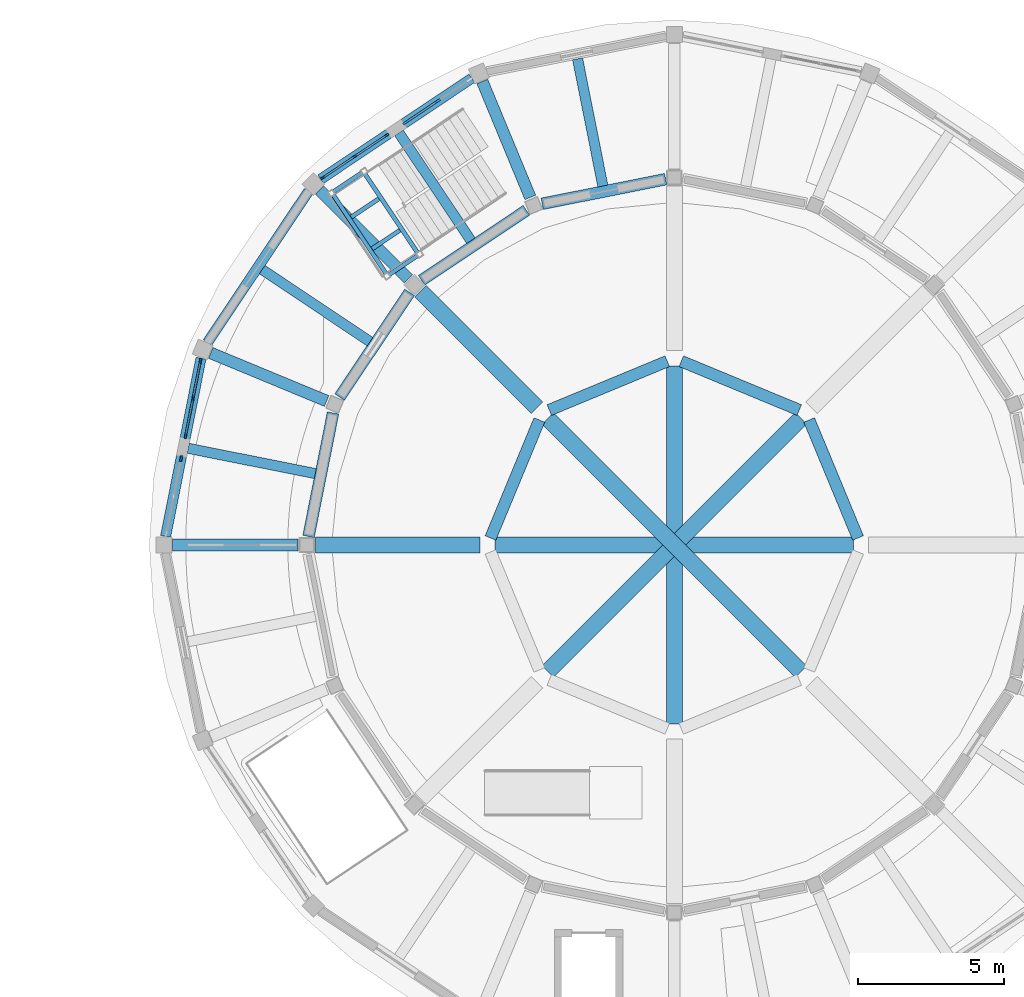
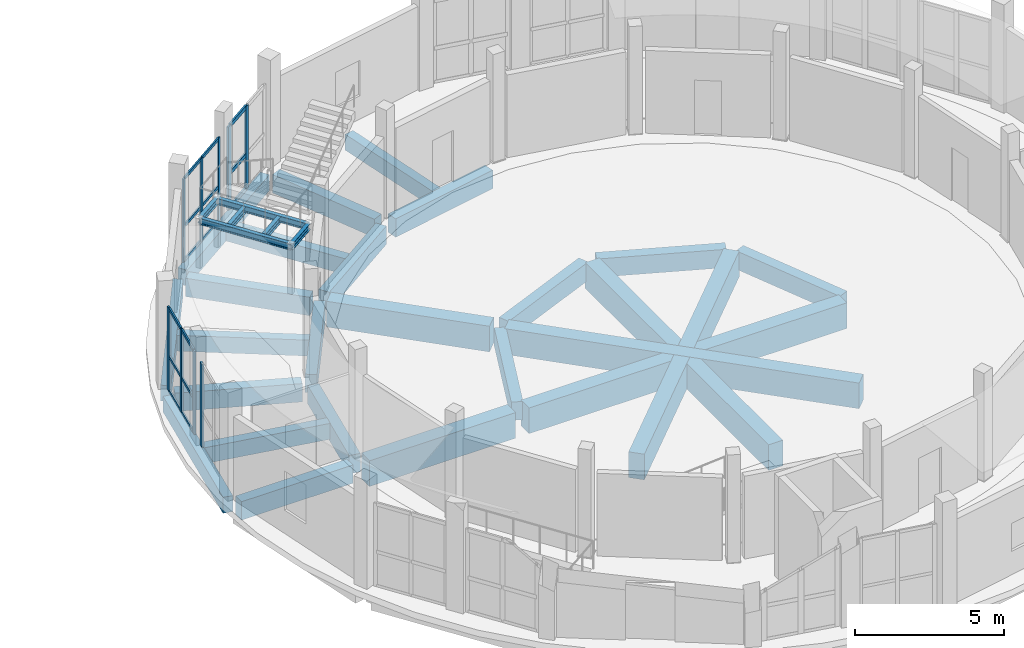
# One storey, part 47 of 92: 31 beams, 24 members, 4 elements without a shape of their own.
"""IFC4 building model written with IfcOpenShell, lengths in metres."""

from ifc_helpers import new_model, si_unit, direction, frame, origin, origin_2d, place, context, subcontext, project, spatial, rectangle, i_section, extrude, material, layer, layer_set, material_profile, profile_set, type_object, element, aggregate, save


model = new_model("IFC4")

# Units and contexts
model_context = context("Model", 3, precision=1e-05, world=origin(), true_north=direction((0.0, 1.0)))
body_context = subcontext(model_context, "Body", "Model", "MODEL_VIEW")
ifc_project = project(units=[si_unit("LENGTHUNIT", "METRE"), si_unit("AREAUNIT", "SQUARE_METRE"), si_unit("VOLUMEUNIT", "CUBIC_METRE"), si_unit("PLANEANGLEUNIT", "RADIAN"), si_unit("MASSUNIT", "GRAM", prefix="KILO")], contexts=[model_context])

# Site, building, storey
site_placement = place(None, origin())
site = spatial("IfcSite", under=ifc_project, at=site_placement, CompositionType="ELEMENT")
building_placement = place(site_placement, origin())
building = spatial("IfcBuilding", under=site, at=building_placement, Name="Caldaven Crescent School", CompositionType="ELEMENT")
storey_placement = place(building_placement, origin())
storey = spatial("IfcBuildingStorey", under=building, at=storey_placement, Name="L00", CompositionType="ELEMENT", Elevation=0.0)

# Beams
ifc_material_1 = material(Name="Concrete C30/37", Category="concrete")
ifc_material_profile_1 = material_profile(ifc_material_1, rectangle(XDim=0.35009765625, YDim=0.64990234375, at=origin_2d()), Name="RC 350x650")
ifc_profile_set_1 = profile_set([ifc_material_profile_1], Name="Concrete C30/37")
beam_type_1 = type_object("IfcBeamType", Name="BM-RC35", PredefinedType="BEAM", material=ifc_profile_set_1)
beam_1_placement = place(storey_placement, frame((150.052001953125, 110.806884765625, -0.5849609375), z_axis=(-0.195112778797, 0.980780813205, 0.0), x_axis=(-0.980780813205, -0.195112778797, 0.0)))
element("IfcBeam", 1, at=beam_1_placement, inside=storey, type_object=beam_type_1, Name="JS-V1-L00-0029", PredefinedType="BEAM", context=body_context, shape_type="SweptSolid", body=[
    extrude(rectangle(XDim=0.35009765625, YDim=0.64990234375, at=origin_2d()), origin(), (0.0, 0.0, 1.0), 4.44580078125),
])
for number, where, z_axis, x_axis, name in (
    (2, (145.52880859375, 108.93310546875, -0.5849609375), (-0.55554893791, 0.831483840845, 0.0), (-0.831483840845, -0.55554893791, 0.0), "JS-V1-L00-0033"),
    (3, (142.06689453125, 105.47119140625, -0.5849609375), (-0.831483840845, 0.55554893791, 0.0), (-0.55554893791, -0.831483840845, 0.0), "JS-V1-L00-0040"),
):
    element("IfcBeam", number, at=place(storey_placement, frame(where, z_axis=z_axis, x_axis=x_axis)), inside=storey, type_object=beam_type_1, Name=name, PredefinedType="BEAM", context=body_context, shape_type="SweptSolid", body=[
        extrude(rectangle(XDim=0.35009765625, YDim=0.64990234375, at=origin_2d()), origin(), (0.0, 0.0, 1.0), 4.446044921875),
    ])
beam_2_placement = place(storey_placement, frame((140.193115234375, 100.947998046875, -0.5849609375), z_axis=(-0.980780813205, 0.195112778797, 0.0), x_axis=(-0.195112778797, -0.980780813205, 0.0)))
element("IfcBeam", 4, at=beam_2_placement, inside=storey, type_object=beam_type_1, Name="JS-V1-L00-0044", PredefinedType="BEAM", context=body_context, shape_type="SweptSolid", body=[
    extrude(rectangle(XDim=0.35009765625, YDim=0.64990234375, at=origin_2d()), origin(), (0.0, 0.0, 1.0), 4.44580078125),
])
ifc_material_2 = material(Name="Concrete C35/45", Category="concrete")
ifc_material_profile_2 = material_profile(ifc_material_2, rectangle(XDim=0.39990234375, YDim=0.75, at=origin_2d()), Name="RC 400x750")
ifc_profile_set_2 = profile_set([ifc_material_profile_2], Name="Concrete C35/45")
beam_type_2 = type_object("IfcBeamType", Name="BM-RC40", PredefinedType="BEAM", material=ifc_profile_set_2)
for number, where, z_axis, x_axis, name in (
    (5, (158.800537109375, 98.740234375, -0.635009765625), (-0.38269817282, 0.923873426677, 0.0), (-0.923873426677, -0.38269817282, 0.0), "BM-V1-L00-0001"),
    (6, (156.78515625, 103.125, -0.635009765625), (-0.923873426677, 0.38269817282, 0.0), (-0.38269817282, -0.923873426677, 0.0), "BM-V1-L00-0012"),
    (7, (152.259765625, 104.800537109375, -0.635009765625), (-0.923873426677, -0.38269817282, 0.0), (0.38269817282, -0.923873426677, 0.0), "BM-V1-L00-0023"),
):
    element("IfcBeam", number, at=place(storey_placement, frame(where, z_axis=z_axis, x_axis=x_axis)), inside=storey, type_object=beam_type_2, Name=name, PredefinedType="BEAM", context=body_context, shape_type="SweptSolid", body=[
        extrude(rectangle(XDim=0.39990234375, YDim=0.75, at=origin_2d()), origin(), (0.0, 0.0, 1.0), 4.378173828125),
    ])
beam_3_placement = place(storey_placement, frame((152.205810546875, 111.04150390625, -0.635009765625), z_axis=(-0.980786800424, -0.1950826802, 0.0), x_axis=(0.1950826802, -0.980786800424, 0.0)))
element("IfcBeam", 8, at=beam_3_placement, inside=storey, type_object=beam_type_2, Name="BM-V1-L00-0026", PredefinedType="BEAM", context=body_context, shape_type="SweptSolid", body=[
    extrude(rectangle(XDim=0.39990234375, YDim=0.75, at=origin_2d()), origin(), (0.0, 0.0, 1.0), 4.31640625),
])
beam_4_placement = place(storey_placement, frame((147.5634765625, 110.41796875, -0.635009765625), z_axis=(-0.382727866864, 0.923861125887, 0.0), x_axis=(-0.923861125887, -0.382727866864, 0.0)))
element("IfcBeam", 9, at=beam_4_placement, inside=storey, type_object=beam_type_2, Name="BM-V1-L00-0030", PredefinedType="BEAM", context=body_context, shape_type="SweptSolid", body=[
    extrude(rectangle(XDim=0.39990234375, YDim=0.75, at=origin_2d()), origin(), (0.0, 0.0, 1.0), 4.300048828125),
])
beam_5_placement = place(storey_placement, frame((147.4287109375, 109.97412109375, -0.635009765625), z_axis=(-0.831475516747, -0.555561396292, 0.0), x_axis=(0.555561396292, -0.831475516747, 0.0)))
element("IfcBeam", 10, at=beam_5_placement, inside=storey, type_object=beam_type_2, Name="BM-V1-L00-0031", PredefinedType="BEAM", context=body_context, shape_type="SweptSolid", body=[
    extrude(rectangle(XDim=0.39990234375, YDim=0.75, at=origin_2d()), origin(), (0.0, 0.0, 1.0), 4.316162109375),
])
beam_6_placement = place(storey_placement, frame((147.875, 102.78515625, -0.635009765625), z_axis=(-0.38269817282, -0.923873426677, 0.0), x_axis=(0.923873426677, -0.38269817282, 0.0)))
element("IfcBeam", 11, at=beam_6_placement, inside=storey, type_object=beam_type_2, Name="BM-V1-L00-0034", PredefinedType="BEAM", context=body_context, shape_type="SweptSolid", body=[
    extrude(rectangle(XDim=0.39990234375, YDim=0.75, at=origin_2d()), origin(), (0.0, 0.0, 1.0), 4.378173828125),
])
beam_7_placement = place(storey_placement, frame((143.37841796875, 107.62158203125, -0.635009765625), z_axis=(-0.707106781187, 0.707106781187, 0.0), x_axis=(-0.707106781187, -0.707106781187, 0.0)))
element("IfcBeam", 12, at=beam_7_placement, inside=storey, type_object=beam_type_2, Name="BM-V1-L00-0036", PredefinedType="BEAM", context=body_context, shape_type="SweptSolid", body=[
    extrude(rectangle(XDim=0.39990234375, YDim=0.75, at=origin_2d()), origin(), (0.0, 0.0, 1.0), 4.30029296875),
])
beam_8_placement = place(storey_placement, frame((143.423828125, 107.16015625, -0.635009765625), z_axis=(-0.555561396292, -0.831475516747, 0.0), x_axis=(0.831475516747, -0.555561396292, 0.0)))
element("IfcBeam", 13, at=beam_8_placement, inside=storey, type_object=beam_type_2, Name="BM-V1-L00-0037", PredefinedType="BEAM", context=body_context, shape_type="SweptSolid", body=[
    extrude(rectangle(XDim=0.39990234375, YDim=0.75, at=origin_2d()), origin(), (0.0, 0.0, 1.0), 4.316162109375),
])
beam_9_placement = place(storey_placement, frame((140.58203125, 103.4365234375, -0.635009765625), z_axis=(-0.923861125887, 0.382727866864, 0.0), x_axis=(-0.382727866864, -0.923861125887, 0.0)))
element("IfcBeam", 14, at=beam_9_placement, inside=storey, type_object=beam_type_2, Name="BM-V1-L00-0041", PredefinedType="BEAM", context=body_context, shape_type="SweptSolid", body=[
    extrude(rectangle(XDim=0.39990234375, YDim=0.75, at=origin_2d()), origin(), (0.0, 0.0, 1.0), 4.300048828125),
])
beam_10_placement = place(storey_placement, frame((140.800537109375, 103.027587890625, -0.635009765625), z_axis=(-0.1950826802, -0.980786800424, 0.0), x_axis=(0.980786800424, -0.1950826802, 0.0)))
element("IfcBeam", 15, at=beam_10_placement, inside=storey, type_object=beam_type_2, Name="BM-V1-L00-0042", PredefinedType="BEAM", context=body_context, shape_type="SweptSolid", body=[
    extrude(rectangle(XDim=0.39990234375, YDim=0.75, at=origin_2d()), origin(), (0.0, 0.0, 1.0), 4.31640625),
])
beam_11_placement = place(storey_placement, frame((139.60009765625, 98.5, -0.635009765625), z_axis=(-1.0, 0.0, 0.0), x_axis=(0.0, -1.0, 0.0)))
element("IfcBeam", 16, at=beam_11_placement, inside=storey, type_object=beam_type_2, Name="BM-V1-L00-0047", PredefinedType="BEAM", context=body_context, shape_type="SweptSolid", body=[
    extrude(rectangle(XDim=0.39990234375, YDim=0.75, at=origin_2d()), origin(), (0.0, 0.0, 1.0), 4.300048828125),
])
ifc_material_profile_3 = material_profile(ifc_material_2, rectangle(XDim=0.550048828125, YDim=1.050048828125, at=origin_2d()), Name="RC 550x1050")
ifc_profile_set_3 = profile_set([ifc_material_profile_3], Name="Concrete C35/45")
beam_type_3 = type_object("IfcBeamType", Name="BM-RC55", PredefinedType="BEAM", material=ifc_profile_set_3)
for number, where, z_axis, x_axis, name in (
    (17, (158.639892578125, 98.5, -0.784912109375), (-1.0, 0.0, 0.0), (0.0, -1.0, 0.0), "BM-V1-DIA-L00-0006"),
    (18, (156.841552734375, 102.841552734375, -0.784912109375), (-0.707106781187, -0.707106781187, 0.0), (0.707106781187, -0.707106781187, 0.0), "BM-V1-DIA-L00-0017"),
    (19, (152.5, 104.639892578125, -0.784912109375), (0.0, -1.0, 0.0), (1.0, 0.0, 0.0), "BM-V1-DIA-L00-0028"),
):
    element("IfcBeam", number, at=place(storey_placement, frame(where, z_axis=z_axis, x_axis=x_axis)), inside=storey, type_object=beam_type_3, Name=name, PredefinedType="BEAM", context=body_context, shape_type="SweptSolid", body=[
        extrude(rectangle(XDim=0.550048828125, YDim=1.050048828125, at=origin_2d()), origin(), (0.0, 0.0, 1.0), 12.27978515625),
    ])
beam_12_placement = place(storey_placement, frame((147.790771484375, 103.209228515625, -0.784912109375), z_axis=(-0.707106781187, 0.707106781187, 0.0), x_axis=(-0.707106781187, -0.707106781187, 0.0)))
element("IfcBeam", 20, at=beam_12_placement, inside=storey, type_object=beam_type_3, Name="BM-V1-L00-0035", PredefinedType="BEAM", context=body_context, shape_type="SweptSolid", body=[
    extrude(rectangle(XDim=0.550048828125, YDim=1.050048828125, at=origin_2d()), origin(), (0.0, 0.0, 1.0), 5.640380859375),
])
beam_13_placement = place(storey_placement, frame((148.158447265625, 102.841552734375, -0.784912109375), z_axis=(0.707106781187, -0.707106781187, 0.0), x_axis=(0.707106781187, 0.707106781187, 0.0)))
element("IfcBeam", 21, at=beam_13_placement, inside=storey, type_object=beam_type_3, Name="BM-V1-DIA-L00-0039", PredefinedType="BEAM", context=body_context, shape_type="SweptSolid", body=[
    extrude(rectangle(XDim=0.550048828125, YDim=1.050048828125, at=origin_2d()), origin(), (0.0, 0.0, 1.0), 12.27978515625),
])
beam_14_placement = place(storey_placement, frame((145.840087890625, 98.5, -0.784912109375), z_axis=(-1.0, 0.0, 0.0), x_axis=(0.0, -1.0, 0.0)))
element("IfcBeam", 22, at=beam_14_placement, inside=storey, type_object=beam_type_3, Name="BM-V1-L00-0046", PredefinedType="BEAM", context=body_context, shape_type="SweptSolid", body=[
    extrude(rectangle(XDim=0.550048828125, YDim=1.050048828125, at=origin_2d()), origin(), (0.0, 0.0, 1.0), 5.64013671875),
])
ifc_material_3 = material(Name="Steel ASTM A572 Grade 50", Category="steel")
ifc_material_profile_4 = material_profile(ifc_material_3, i_section(OverallWidth=0.14599609375, OverallDepth=0.258056640625, WebThickness=0.006103515625, FlangeThickness=0.009033203125, FilletRadius=0.011962890625, at=origin_2d()), Name="W250x33")
ifc_profile_set_4 = profile_set([ifc_material_profile_4], Name="Steel ASTM A572 Grade 50")
beam_type_4 = type_object("IfcBeamType", Name="BM-W25", PredefinedType="BEAM", material=ifc_profile_set_4)
for number, where, z_axis, x_axis, name in (
    (23, (141.86962890625, 111.3134765625, 1.885986328125), (-0.831493450887, -0.555534554399, 0.0), (0.555534554399, -0.831493450887, 0.0), "BM-STSIDE-STV1-L00-SL"),
    (24, (143.769775390625, 108.469970703125, 1.885986328125), (-0.831493450887, -0.555534554399, 0.0), (0.555534554399, -0.831493450887, 0.0), "BM-STSIDE-STV1-L00-SR"),
):
    element("IfcBeam", number, at=place(storey_placement, frame(where, z_axis=z_axis, x_axis=x_axis)), inside=storey, type_object=beam_type_4, Name=name, PredefinedType="BEAM", context=body_context, shape_type="SweptSolid", body=[
        extrude(i_section(OverallWidth=0.14599609375, OverallDepth=0.258056640625, WebThickness=0.006103515625, FlangeThickness=0.009033203125, FilletRadius=0.011962890625, at=origin_2d()), origin(), (0.0, 0.0, 1.0), 1.35009765625),
    ])
beam_15_placement = place(storey_placement, frame((141.8447265625, 111.296875, 1.885986328125), z_axis=(0.555556581598, -0.831478733729, 0.0), x_axis=(0.831478733729, 0.555556581598, 0.0)))
element("IfcBeam", 25, at=beam_15_placement, inside=storey, type_object=beam_type_4, Name="BM-STLND-STV1-L00-IN", PredefinedType="BEAM", context=body_context, shape_type="SweptSolid", body=[
    extrude(i_section(OverallWidth=0.14599609375, OverallDepth=0.258056640625, WebThickness=0.006103515625, FlangeThickness=0.009033203125, FilletRadius=0.011962890625, at=origin_2d()), origin(), (0.0, 0.0, 1.0), 3.419921875),
])
beam_16_placement = place(storey_placement, frame((140.763671875, 110.57470703125, 1.885986328125), z_axis=(0.555572958394, -0.831467791259, 0.0), x_axis=(0.831467791259, 0.555572958394, 0.0)))
element("IfcBeam", 26, at=beam_16_placement, inside=storey, type_object=beam_type_4, Name="BM-STLND-STV1-L00-OUT", PredefinedType="BEAM", context=body_context, shape_type="SweptSolid", body=[
    extrude(i_section(OverallWidth=0.14599609375, OverallDepth=0.258056640625, WebThickness=0.006103515625, FlangeThickness=0.009033203125, FilletRadius=0.011962890625, at=origin_2d()), origin(), (0.0, 0.0, 1.0), 3.420166015625),
])

# Curtain wall, members
ifc_material_4 = material(Name="Anodised aluminium AA 6063-T6 and low-E double glazing", Category="aluminium")
ifc_layer_1 = layer(ifc_material_4, 0.2099609375)
ifc_layer_set_1 = layer_set([ifc_layer_1], Name="Anodised aluminium AA 6063-T6 and low-E double glazing")
curtain_wall_type_1 = type_object("IfcCurtainWallType", Name="CW-SYS3", PredefinedType="NOTDEFINED", material=ifc_layer_set_1)
curtain_wall_1_placement = place(storey_placement, origin())
curtain_wall_1 = element("IfcCurtainWall", 27, at=curtain_wall_1_placement, inside=storey, type_object=curtain_wall_type_1, Name="CW-L00-006", PredefinedType="NOTDEFINED")
ifc_material_5 = material(Name="Anodised aluminium AA 6063-T6", Category="aluminium")
ifc_material_profile_5 = material_profile(ifc_material_5, rectangle(XDim=0.06005859375, YDim=0.14990234375, at=origin_2d()), Name="CWM 60x150")
ifc_profile_set_5 = profile_set([ifc_material_profile_5], Name="Anodised aluminium AA 6063-T6")
member_type_1 = type_object("IfcMemberType", Name="CWM-T1", PredefinedType="MULLION", material=ifc_profile_set_5)
member_1_placement = place(storey_placement, frame((142.64013671875, 112.554443359375, 0.0), z_axis=(0.0, 0.0, 1.0), x_axis=(0.555571886154, -0.831468507711, 0.0)))
member_1 = element("IfcMember", 28, at=member_1_placement, type_object=member_type_1, Name="CW3 mullion 1", PredefinedType="MULLION", context=body_context, shape_type="SweptSolid", body=[
    extrude(rectangle(XDim=0.06005859375, YDim=0.14990234375, at=origin_2d()), origin(), (0.0, 0.0, 1.0), 3.39990234375),
])
member_2_placement = place(storey_placement, frame((141.544921875, 111.82275390625, 0.0), z_axis=(0.0, 0.0, 1.0), x_axis=(0.555571886154, -0.831468507711, 0.0)))
member_2 = element("IfcMember", 29, at=member_2_placement, type_object=member_type_1, Name="CW3 mullion 2", PredefinedType="MULLION", context=body_context, shape_type="SweptSolid", body=[
    extrude(rectangle(XDim=0.06005859375, YDim=0.14990234375, at=origin_2d()), origin(), (0.0, 0.0, 1.0), 3.39990234375),
])
member_3_placement = place(storey_placement, frame((140.449951171875, 111.091064453125, 0.0), z_axis=(0.0, 0.0, 1.0), x_axis=(0.555571886154, -0.831468507711, 0.0)))
member_3 = element("IfcMember", 30, at=member_3_placement, type_object=member_type_1, Name="CW3 mullion 3", PredefinedType="MULLION", context=body_context, shape_type="SweptSolid", body=[
    extrude(rectangle(XDim=0.06005859375, YDim=0.14990234375, at=origin_2d()), origin(), (0.0, 0.0, 1.0), 3.39990234375),
])

ifc_layer_2 = layer(ifc_material_4, 0.22998046875)
ifc_layer_set_2 = layer_set([ifc_layer_2], Name="Anodised aluminium AA 6063-T6 and low-E double glazing")
curtain_wall_type_2 = type_object("IfcCurtainWallType", Name="CW-SYS4", PredefinedType="NOTDEFINED", material=ifc_layer_set_2)
curtain_wall_2_placement = place(storey_placement, origin())
curtain_wall_2 = element("IfcCurtainWall", 31, at=curtain_wall_2_placement, inside=storey, type_object=curtain_wall_type_2, Name="CW-L00-007", PredefinedType="NOTDEFINED")
ifc_material_profile_6 = material_profile(ifc_material_5, rectangle(XDim=0.06494140625, YDim=0.179931640625, at=origin_2d()), Name="CWM 65x180")
ifc_profile_set_6 = profile_set([ifc_material_profile_6], Name="Anodised aluminium AA 6063-T6")
member_type_2 = type_object("IfcMemberType", Name="CWM-T2", PredefinedType="MULLION", material=ifc_profile_set_6)
member_4_placement = place(storey_placement, frame((136.255615234375, 104.81201171875, 0.0), z_axis=(0.0, 0.0, 1.0), x_axis=(0.980785289392, -0.195090276825, 0.0)))
member_4 = element("IfcMember", 32, at=member_4_placement, type_object=member_type_2, Name="CW4 mullion 1", PredefinedType="MULLION", context=body_context, shape_type="SweptSolid", body=[
    extrude(rectangle(XDim=0.06494140625, YDim=0.179931640625, at=origin_2d()), origin(), (0.0, 0.0, 1.0), 3.39990234375),
])
member_5_placement = place(storey_placement, frame((135.9990234375, 103.522705078125, 0.0), z_axis=(0.0, 0.0, 1.0), x_axis=(0.980785289392, -0.195090276825, 0.0)))
member_5 = element("IfcMember", 33, at=member_5_placement, type_object=member_type_2, Name="CW4 mullion 2", PredefinedType="MULLION", context=body_context, shape_type="SweptSolid", body=[
    extrude(rectangle(XDim=0.06494140625, YDim=0.179931640625, at=origin_2d()), origin(), (0.0, 0.0, 1.0), 3.39990234375),
])
member_6_placement = place(storey_placement, frame((135.74267578125, 102.2333984375, 0.0), z_axis=(0.0, 0.0, 1.0), x_axis=(0.980785289392, -0.195090276825, 0.0)))
member_6 = element("IfcMember", 34, at=member_6_placement, type_object=member_type_2, Name="CW4 mullion 3", PredefinedType="MULLION", context=body_context, shape_type="SweptSolid", body=[
    extrude(rectangle(XDim=0.06494140625, YDim=0.179931640625, at=origin_2d()), origin(), (0.0, 0.0, 1.0), 3.39990234375),
])

ifc_layer_3 = layer(ifc_material_4, 0.18994140625)
ifc_layer_set_3 = layer_set([ifc_layer_3], Name="Anodised aluminium AA 6063-T6 and low-E double glazing")
curtain_wall_type_3 = type_object("IfcCurtainWallType", Name="CW-SYS2", PredefinedType="NOTDEFINED", material=ifc_layer_set_3)
curtain_wall_3_placement = place(storey_placement, origin())
curtain_wall_3 = element("IfcCurtainWall", 35, at=curtain_wall_3_placement, inside=storey, type_object=curtain_wall_type_3, Name="CW-L00-005", PredefinedType="NOTDEFINED")
ifc_material_profile_7 = material_profile(ifc_material_5, rectangle(XDim=0.070068359375, YDim=0.2099609375, at=origin_2d()), Name="CWM 70x210")
ifc_profile_set_7 = profile_set([ifc_material_profile_7], Name="Anodised aluminium AA 6063-T6")
member_type_3 = type_object("IfcMemberType", Name="CWM-T3", PredefinedType="MULLION", material=ifc_profile_set_7)
member_7_placement = place(storey_placement, frame((144.3837890625, 113.719482421875, 0.0), z_axis=(0.0, 0.0, 1.0), x_axis=(0.555569320019, -0.83147022235, 0.0)))
member_7 = element("IfcMember", 36, at=member_7_placement, type_object=member_type_3, Name="CW2 mullion 2", PredefinedType="MULLION", context=body_context, shape_type="SweptSolid", body=[
    extrude(rectangle(XDim=0.070068359375, YDim=0.2099609375, at=origin_2d()), origin(), (0.0, 0.0, 1.0), 3.39990234375),
])
member_8_placement = place(storey_placement, frame((143.292724609375, 112.990478515625, 0.0), z_axis=(0.0, 0.0, 1.0), x_axis=(0.555569320019, -0.83147022235, 0.0)))
member_8 = element("IfcMember", 37, at=member_8_placement, type_object=member_type_3, Name="CW2 mullion 3", PredefinedType="MULLION", context=body_context, shape_type="SweptSolid", body=[
    extrude(rectangle(XDim=0.070068359375, YDim=0.2099609375, at=origin_2d()), origin(), (0.0, 0.0, 1.0), 3.39990234375),
])

# Curtain wall, member
ifc_layer_4 = layer(ifc_material_4, 0.169921875)
ifc_layer_set_4 = layer_set([ifc_layer_4], Name="Anodised aluminium AA 6063-T6 and low-E double glazing")
curtain_wall_type_4 = type_object("IfcCurtainWallType", Name="CW-SYS1", PredefinedType="NOTDEFINED", material=ifc_layer_set_4)
curtain_wall_4_placement = place(storey_placement, origin())
curtain_wall_4 = element("IfcCurtainWall", 38, at=curtain_wall_4_placement, inside=storey, type_object=curtain_wall_type_4, Name="CW-L00-008", PredefinedType="NOTDEFINED")
member_9_placement = place(storey_placement, frame((135.589111328125, 101.461181640625, 0.0), z_axis=(0.0, 0.0, 1.0), x_axis=(0.980785289392, -0.195090276825, 0.0)))
member_9 = element("IfcMember", 39, at=member_9_placement, type_object=member_type_3, Name="CW1 mullion 1", PredefinedType="MULLION", context=body_context, shape_type="SweptSolid", body=[
    extrude(rectangle(XDim=0.070068359375, YDim=0.2099609375, at=origin_2d()), origin(), (0.0, 0.0, 1.0), 3.39990234375),
])
aggregate(curtain_wall_4, [member_9])

# Member
ifc_material_profile_8 = material_profile(ifc_material_5, rectangle(XDim=0.06005859375, YDim=0.1201171875, at=origin_2d()), Name="CWT 60x120")
ifc_profile_set_8 = profile_set([ifc_material_profile_8], Name="Anodised aluminium AA 6063-T6")
member_type_4 = type_object("IfcMemberType", Name="CWT-T1", PredefinedType="USERDEFINED", material=ifc_profile_set_8)
member_10_placement = place(storey_placement, frame((142.615234375, 112.537841796875, 0.030029296875), z_axis=(-0.831482253268, -0.555551314012, 0.0), x_axis=(0.555551314012, -0.831482253268, 0.0)))
member_10 = element("IfcMember", 40, at=member_10_placement, type_object=member_type_4, Name="CW3 transom 1.1", ObjectType="TRANSOM", PredefinedType="USERDEFINED", context=body_context, shape_type="SweptSolid", body=[
    extrude(rectangle(XDim=0.06005859375, YDim=0.1201171875, at=origin_2d()), origin(), (0.0, 0.0, 1.0), 1.25732421875),
])

member_11_placement = place(storey_placement, frame((142.615234375, 112.537841796875, 1.427978515625), z_axis=(-0.831482253268, -0.555551314012, 0.0), x_axis=(0.555551314012, -0.831482253268, 0.0)))
member_11 = element("IfcMember", 41, at=member_11_placement, type_object=member_type_4, Name="CW3 transom 1.2", ObjectType="TRANSOM", PredefinedType="USERDEFINED", context=body_context, shape_type="SweptSolid", body=[
    extrude(rectangle(XDim=0.06005859375, YDim=0.1201171875, at=origin_2d()), origin(), (0.0, 0.0, 1.0), 1.25732421875),
])

member_12_placement = place(storey_placement, frame((142.615234375, 112.537841796875, 3.3701171875), z_axis=(-0.831482253268, -0.555551314012, 0.0), x_axis=(0.555551314012, -0.831482253268, 0.0)))
member_12 = element("IfcMember", 42, at=member_12_placement, type_object=member_type_4, Name="CW3 transom 1.3", ObjectType="TRANSOM", PredefinedType="USERDEFINED", context=body_context, shape_type="SweptSolid", body=[
    extrude(rectangle(XDim=0.06005859375, YDim=0.1201171875, at=origin_2d()), origin(), (0.0, 0.0, 1.0), 1.25732421875),
])

member_13_placement = place(storey_placement, frame((141.52001953125, 111.80615234375, 0.030029296875), z_axis=(-0.831422307315, -0.555641023412, 0.0), x_axis=(0.555641023412, -0.831422307315, 0.0)))
member_13 = element("IfcMember", 43, at=member_13_placement, type_object=member_type_4, Name="CW3 transom 2.1", ObjectType="TRANSOM", PredefinedType="USERDEFINED", context=body_context, shape_type="SweptSolid", body=[
    extrude(rectangle(XDim=0.06005859375, YDim=0.1201171875, at=origin_2d()), origin(), (0.0, 0.0, 1.0), 1.257080078125),
])

member_14_placement = place(storey_placement, frame((141.52001953125, 111.80615234375, 1.427978515625), z_axis=(-0.831422307315, -0.555641023412, 0.0), x_axis=(0.555641023412, -0.831422307315, 0.0)))
member_14 = element("IfcMember", 44, at=member_14_placement, type_object=member_type_4, Name="CW3 transom 2.2", ObjectType="TRANSOM", PredefinedType="USERDEFINED", context=body_context, shape_type="SweptSolid", body=[
    extrude(rectangle(XDim=0.06005859375, YDim=0.1201171875, at=origin_2d()), origin(), (0.0, 0.0, 1.0), 1.257080078125),
])

member_15_placement = place(storey_placement, frame((141.52001953125, 111.80615234375, 3.3701171875), z_axis=(-0.831422307315, -0.555641023412, 0.0), x_axis=(0.555641023412, -0.831422307315, 0.0)))
member_15 = element("IfcMember", 45, at=member_15_placement, type_object=member_type_4, Name="CW3 transom 2.3", ObjectType="TRANSOM", PredefinedType="USERDEFINED", context=body_context, shape_type="SweptSolid", body=[
    extrude(rectangle(XDim=0.06005859375, YDim=0.1201171875, at=origin_2d()), origin(), (0.0, 0.0, 1.0), 1.257080078125),
])

aggregate(curtain_wall_1, [member_1, member_2, member_3, member_10, member_11, member_12, member_13, member_14, member_15])

member_16_placement = place(storey_placement, frame((136.249267578125, 104.780029296875, 0.030029296875), z_axis=(-0.195214161857, -0.980760638999, 0.0), x_axis=(0.980760638999, -0.195214161857, 0.0)))
member_16 = element("IfcMember", 46, at=member_16_placement, type_object=member_type_4, Name="CW4 transom 1.1", ObjectType="TRANSOM", PredefinedType="USERDEFINED", context=body_context, shape_type="SweptSolid", body=[
    extrude(rectangle(XDim=0.06005859375, YDim=0.1201171875, at=origin_2d()), origin(), (0.0, 0.0, 1.0), 1.249267578125),
])

member_17_placement = place(storey_placement, frame((136.249267578125, 104.780029296875, 1.427978515625), z_axis=(-0.195214161857, -0.980760638999, 0.0), x_axis=(0.980760638999, -0.195214161857, 0.0)))
member_17 = element("IfcMember", 47, at=member_17_placement, type_object=member_type_4, Name="CW4 transom 1.2", ObjectType="TRANSOM", PredefinedType="USERDEFINED", context=body_context, shape_type="SweptSolid", body=[
    extrude(rectangle(XDim=0.06005859375, YDim=0.1201171875, at=origin_2d()), origin(), (0.0, 0.0, 1.0), 1.249267578125),
])

member_18_placement = place(storey_placement, frame((136.249267578125, 104.780029296875, 3.3701171875), z_axis=(-0.195214161857, -0.980760638999, 0.0), x_axis=(0.980760638999, -0.195214161857, 0.0)))
member_18 = element("IfcMember", 48, at=member_18_placement, type_object=member_type_4, Name="CW4 transom 1.3", ObjectType="TRANSOM", PredefinedType="USERDEFINED", context=body_context, shape_type="SweptSolid", body=[
    extrude(rectangle(XDim=0.06005859375, YDim=0.1201171875, at=origin_2d()), origin(), (0.0, 0.0, 1.0), 1.249267578125),
])

member_19_placement = place(storey_placement, frame((135.99267578125, 103.49072265625, 0.030029296875), z_axis=(-0.195026188312, -0.98079803521, 0.0), x_axis=(0.98079803521, -0.195026188312, 0.0)))
member_19 = element("IfcMember", 49, at=member_19_placement, type_object=member_type_4, Name="CW4 transom 2.1", ObjectType="TRANSOM", PredefinedType="USERDEFINED", context=body_context, shape_type="SweptSolid", body=[
    extrude(rectangle(XDim=0.06005859375, YDim=0.1201171875, at=origin_2d()), origin(), (0.0, 0.0, 1.0), 1.249267578125),
])

member_20_placement = place(storey_placement, frame((135.99267578125, 103.49072265625, 1.427978515625), z_axis=(-0.195026188312, -0.98079803521, 0.0), x_axis=(0.98079803521, -0.195026188312, 0.0)))
member_20 = element("IfcMember", 50, at=member_20_placement, type_object=member_type_4, Name="CW4 transom 2.2", ObjectType="TRANSOM", PredefinedType="USERDEFINED", context=body_context, shape_type="SweptSolid", body=[
    extrude(rectangle(XDim=0.06005859375, YDim=0.1201171875, at=origin_2d()), origin(), (0.0, 0.0, 1.0), 1.249267578125),
])

member_21_placement = place(storey_placement, frame((135.99267578125, 103.49072265625, 3.3701171875), z_axis=(-0.195026188312, -0.98079803521, 0.0), x_axis=(0.98079803521, -0.195026188312, 0.0)))
member_21 = element("IfcMember", 51, at=member_21_placement, type_object=member_type_4, Name="CW4 transom 2.3", ObjectType="TRANSOM", PredefinedType="USERDEFINED", context=body_context, shape_type="SweptSolid", body=[
    extrude(rectangle(XDim=0.06005859375, YDim=0.1201171875, at=origin_2d()), origin(), (0.0, 0.0, 1.0), 1.249267578125),
])

aggregate(curtain_wall_2, [member_4, member_5, member_6, member_16, member_17, member_18, member_19, member_20, member_21])

ifc_material_profile_9 = material_profile(ifc_material_5, rectangle(XDim=0.070068359375, YDim=0.159912109375, at=origin_2d()), Name="CWT 70x160")
ifc_profile_set_9 = profile_set([ifc_material_profile_9], Name="Anodised aluminium AA 6063-T6")
member_type_5 = type_object("IfcMemberType", Name="CWT-T3", PredefinedType="USERDEFINED", material=ifc_profile_set_9)
member_22_placement = place(storey_placement, frame((144.3544921875, 113.699951171875, 0.034912109375), z_axis=(-0.831505536539, -0.555516464837, 0.0), x_axis=(0.555516464837, -0.831505536539, 0.0)))
member_22 = element("IfcMember", 52, at=member_22_placement, type_object=member_type_5, Name="CW2 transom 2.1", ObjectType="TRANSOM", PredefinedType="USERDEFINED", context=body_context, shape_type="SweptSolid", body=[
    extrude(rectangle(XDim=0.070068359375, YDim=0.159912109375, at=origin_2d()), origin(), (0.0, 0.0, 1.0), 1.241943359375),
])

member_23_placement = place(storey_placement, frame((144.3544921875, 113.699951171875, 1.427978515625), z_axis=(-0.831505536539, -0.555516464837, 0.0), x_axis=(0.555516464837, -0.831505536539, 0.0)))
member_23 = element("IfcMember", 53, at=member_23_placement, type_object=member_type_5, Name="CW2 transom 2.2", ObjectType="TRANSOM", PredefinedType="USERDEFINED", context=body_context, shape_type="SweptSolid", body=[
    extrude(rectangle(XDim=0.070068359375, YDim=0.159912109375, at=origin_2d()), origin(), (0.0, 0.0, 1.0), 1.241943359375),
])

member_24_placement = place(storey_placement, frame((144.3544921875, 113.699951171875, 3.364990234375), z_axis=(-0.831505536539, -0.555516464837, 0.0), x_axis=(0.555516464837, -0.831505536539, 0.0)))
member_24 = element("IfcMember", 54, at=member_24_placement, type_object=member_type_5, Name="CW2 transom 2.3", ObjectType="TRANSOM", PredefinedType="USERDEFINED", context=body_context, shape_type="SweptSolid", body=[
    extrude(rectangle(XDim=0.070068359375, YDim=0.159912109375, at=origin_2d()), origin(), (0.0, 0.0, 1.0), 1.241943359375),
])

aggregate(curtain_wall_3, [member_7, member_8, member_22, member_23, member_24])

# Beams
ifc_material_profile_10 = material_profile(ifc_material_3, i_section(OverallWidth=0.14599609375, OverallDepth=0.258056640625, WebThickness=0.006103515625, FlangeThickness=0.009033203125, FilletRadius=0.011962890625, at=origin_2d()), Name="W250x33")
ifc_profile_set_10 = profile_set([ifc_material_profile_10], Name="Steel ASTM A572 Grade 50")
beam_type_5 = type_object("IfcBeamType", Name="LN-W25", PredefinedType="LINTEL", material=ifc_profile_set_10)
for number, where, z_axis, x_axis, name in (
    (55, (142.3671875, 110.37109375, 1.885986328125), (-0.831522793915, -0.555490632865, 0.0), (0.555490632865, -0.831522793915, 0.0), "BM-STJST-STV1-L00-JL"),
    (56, (143.08935546875, 109.290283203125, 1.885986328125), (-0.831423878524, -0.555638672359, 0.0), (0.555638672359, -0.831423878524, 0.0), "BM-STJST-STV1-L00-JR"),
):
    element("IfcBeam", number, at=place(storey_placement, frame(where, z_axis=z_axis, x_axis=x_axis)), inside=storey, type_object=beam_type_5, Name=name, PredefinedType="LINTEL", context=body_context, shape_type="SweptSolid", body=[
        extrude(i_section(OverallWidth=0.14599609375, OverallDepth=0.258056640625, WebThickness=0.006103515625, FlangeThickness=0.009033203125, FilletRadius=0.011962890625, at=origin_2d()), origin(), (0.0, 0.0, 1.0), 1.14013671875),
    ])
ifc_material_profile_11 = material_profile(ifc_material_1, rectangle(XDim=0.35009765625, YDim=0.64990234375, at=origin_2d()), Name="RC 350x650")
ifc_profile_set_11 = profile_set([ifc_material_profile_11], Name="Concrete C30/37")
beam_type_6 = type_object("IfcBeamType", Name="SP-RC35", PredefinedType="SPANDREL", material=ifc_profile_set_11)
for number, where, z_axis, x_axis, name in (
    (57, (145.5537109375, 114.501220703125, -0.5849609375), (-0.831476950535, -0.555559250421, 0.0), (0.555559250421, -0.831476950535, 0.0), "BM-V1-L00-0032"),
    (58, (139.958984375, 110.625, -0.5849609375), (-0.555559250421, -0.831476950535, 0.0), (0.831476950535, -0.555559250421, 0.0), "BM-V1-L00-0038"),
    (59, (136.273681640625, 104.90283203125, -0.5849609375), (-0.195090836929, -0.98078517798, 0.0), (0.98078517798, -0.195090836929, 0.0), "BM-V1-L00-0043"),
):
    element("IfcBeam", number, at=place(storey_placement, frame(where, z_axis=z_axis, x_axis=x_axis)), inside=storey, type_object=beam_type_6, Name=name, PredefinedType="SPANDREL", context=body_context, shape_type="SweptSolid", body=[
        extrude(rectangle(XDim=0.35009765625, YDim=0.64990234375, at=origin_2d()), origin(), (0.0, 0.0, 1.0), 6.228271484375),
    ])

save(model, "model.ifc")
